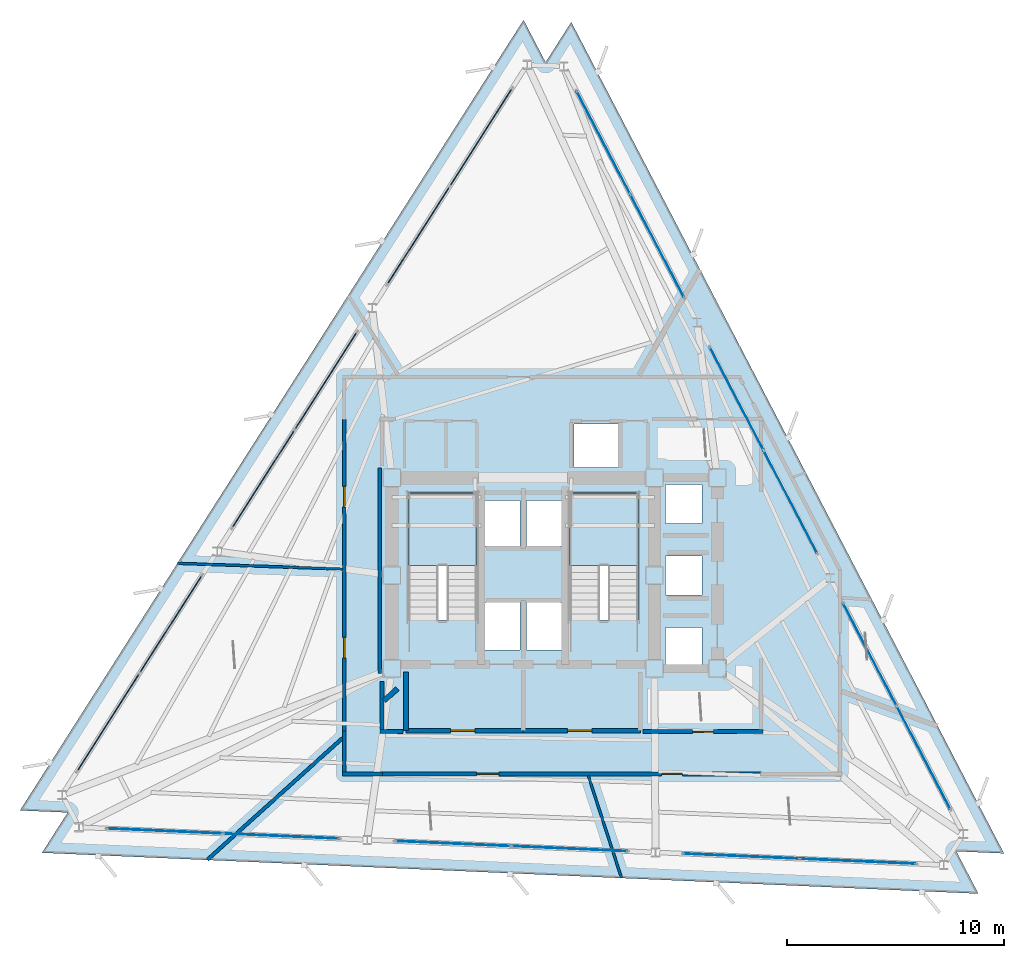
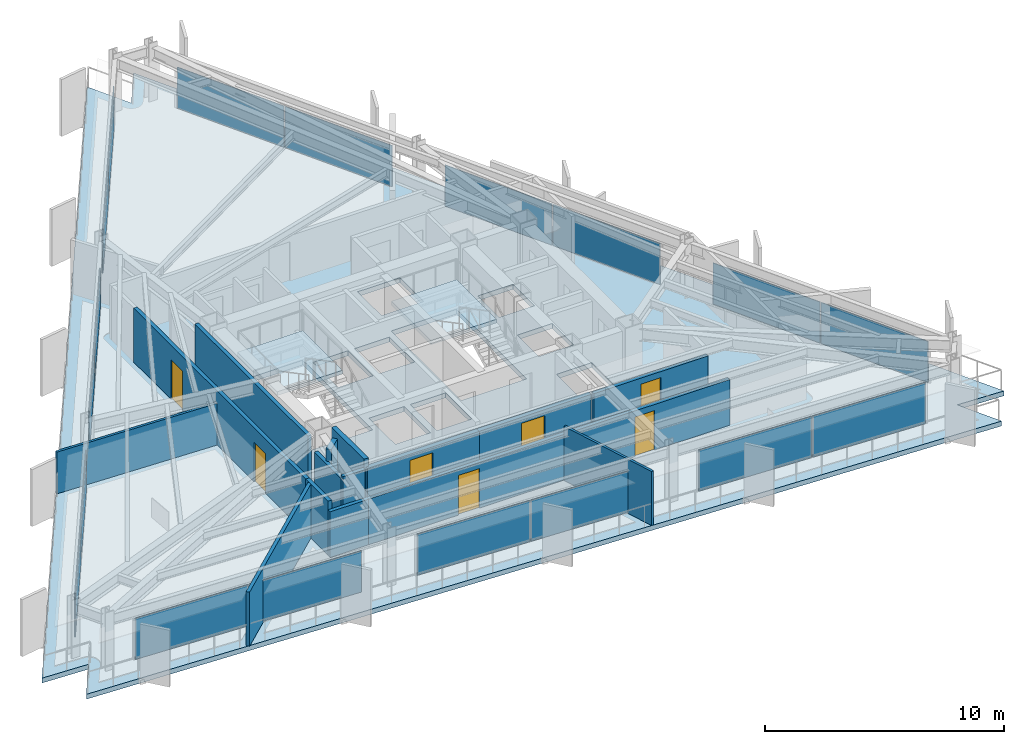
# One storey, part 7 of 12: 18 plates, 15 walls, 7 doors, 3 slabs, 7 openings, 11 elements without a shape of their own.
"""IFC4 building model written with IfcOpenShell, lengths in metres."""

from ifc_helpers import new_model, si_unit, direction, frame, frame_2d, origin, origin_2d, place, context, subcontext, project, spatial, polyline, rectangle, outline, extrude, material, layer, layer_set, type_object, element, fill, aggregate, save


model = new_model("IFC4")

# Units and contexts
model_context = context("Model", 3, precision=1e-05, world=origin(), true_north=direction((0.0, 1.0)))
body_context = subcontext(model_context, "Body", "Model", "MODEL_VIEW")
ifc_project = project(units=[si_unit("LENGTHUNIT", "METRE"), si_unit("AREAUNIT", "SQUARE_METRE"), si_unit("VOLUMEUNIT", "CUBIC_METRE"), si_unit("PLANEANGLEUNIT", "RADIAN"), si_unit("MASSUNIT", "GRAM", prefix="KILO")], contexts=[model_context])

# Site, building, storey
site_placement = place(None, origin())
site = spatial("IfcSite", under=ifc_project, at=site_placement, CompositionType="ELEMENT")
building_placement = place(site_placement, origin())
building = spatial("IfcBuilding", under=site, at=building_placement, Name="Rocaltana Carrier Exchange", CompositionType="ELEMENT")
storey_placement = place(building_placement, frame((0.0, 0.0, 135.0400390625)))
storey = spatial("IfcBuildingStorey", under=building, at=storey_placement, Name="L42", CompositionType="ELEMENT", Elevation=135.0400390625)

# Curtain wall, plates
ifc_material_1 = material(Name="Aluminium 6063-T6", Category="aluminium")
ifc_layer_1 = layer(ifc_material_1, 0.14990234375)
ifc_layer_set_1 = layer_set([ifc_layer_1], Name="Aluminium 6063-T6")
curtain_wall_type = type_object("IfcCurtainWallType", Name="Mid-Tower Unitised Curtain Wall CW-03", PredefinedType="NOTDEFINED", material=ifc_layer_set_1)
curtain_wall_1_placement = place(storey_placement, origin())
curtain_wall_1 = element("IfcCurtainWall", 1, at=curtain_wall_1_placement, inside=storey, type_object=curtain_wall_type, Name="L42 CW-03 Run CW-L42-F1S1", PredefinedType="NOTDEFINED")
ifc_material_2 = material(Name="Tempered Laminated Glass", Category="glass")
ifc_layer_2 = layer(ifc_material_2, 0.0400390625)
ifc_layer_set_2 = layer_set([ifc_layer_2], Name="Tempered Laminated Glass")
plate_type = type_object("IfcPlateType", Name="CW-03 Stone-Insulated Vision Panel", PredefinedType="CURTAIN_PANEL", material=ifc_layer_set_2)
plate_1_placement = place(storey_placement, frame((18.460693359375, -8.4111328125, 0.06005859375), z_axis=(0.0, 0.0, 1.0), x_axis=(-0.461750348962, 0.887009929614, 0.0)))
plate_1 = element("IfcPlate", 2, at=plate_1_placement, type_object=plate_type, Name="CW-03 panel 1.1", PredefinedType="CURTAIN_PANEL", context=body_context, shape_type="SweptSolid", body=[
    extrude(rectangle(XDim=5.31005859375, YDim=0.0400390625, at=origin_2d()), origin(), (0.0, 0.0, 1.0), 2.097900390625),
])
plate_2_placement = place(storey_placement, frame((15.98095703125, -3.64794921875, 0.06005859375), z_axis=(0.0, 0.0, 1.0), x_axis=(-0.461750348962, 0.887009929614, 0.0)))
plate_2 = element("IfcPlate", 3, at=plate_2_placement, type_object=plate_type, Name="CW-03 panel 2.1", PredefinedType="CURTAIN_PANEL", context=body_context, shape_type="SweptSolid", body=[
    extrude(rectangle(XDim=5.31005859375, YDim=0.0400390625, at=origin_2d()), origin(), (0.0, 0.0, 1.0), 2.097900390625),
])
aggregate(curtain_wall_1, [plate_1, plate_2])

curtain_wall_2_placement = place(storey_placement, origin())
curtain_wall_2 = element("IfcCurtainWall", 4, at=curtain_wall_2_placement, inside=storey, type_object=curtain_wall_type, Name="L42 CW-03 Run CW-L42-F1S2", PredefinedType="NOTDEFINED")
plate_3_placement = place(storey_placement, frame((12.3193359375, 3.385986328125, 0.06005859375), z_axis=(0.0, 0.0, 1.0), x_axis=(-0.461746856235, 0.887011747812, 0.0)))
plate_3 = element("IfcPlate", 5, at=plate_3_placement, type_object=plate_type, Name="CW-03 panel 1.1", PredefinedType="CURTAIN_PANEL", context=body_context, shape_type="SweptSolid", body=[
    extrude(rectangle(XDim=5.309814453125, YDim=0.0400390625, at=origin_2d()), origin(), (0.0, 0.0, 1.0), 2.097900390625),
])
plate_4_placement = place(storey_placement, frame((9.83984375, 8.1494140625, 0.06005859375), z_axis=(0.0, 0.0, 1.0), x_axis=(-0.461746856235, 0.887011747812, 0.0)))
plate_4 = element("IfcPlate", 6, at=plate_4_placement, type_object=plate_type, Name="CW-03 panel 2.1", PredefinedType="CURTAIN_PANEL", context=body_context, shape_type="SweptSolid", body=[
    extrude(rectangle(XDim=5.309814453125, YDim=0.0400390625, at=origin_2d()), origin(), (0.0, 0.0, 1.0), 2.097900390625),
])
aggregate(curtain_wall_2, [plate_3, plate_4])

curtain_wall_3_placement = place(storey_placement, origin())
curtain_wall_3 = element("IfcCurtainWall", 7, at=curtain_wall_3_placement, inside=storey, type_object=curtain_wall_type, Name="L42 CW-03 Run CW-L42-F1S3", PredefinedType="NOTDEFINED")
plate_5_placement = place(storey_placement, frame((6.17822265625, 15.183349609375, 0.06005859375), z_axis=(0.0, 0.0, 1.0), x_axis=(-0.461754141383, 0.887007955385, 0.0)))
plate_5 = element("IfcPlate", 8, at=plate_5_placement, type_object=plate_type, Name="CW-03 panel 1.1", PredefinedType="CURTAIN_PANEL", context=body_context, shape_type="SweptSolid", body=[
    extrude(rectangle(XDim=5.31005859375, YDim=0.0400390625, at=origin_2d()), origin(), (0.0, 0.0, 1.0), 2.097900390625),
])
plate_6_placement = place(storey_placement, frame((3.698486328125, 19.946533203125, 0.06005859375), z_axis=(0.0, 0.0, 1.0), x_axis=(-0.461754141383, 0.887007955385, 0.0)))
plate_6 = element("IfcPlate", 9, at=plate_6_placement, type_object=plate_type, Name="CW-03 panel 2.1", PredefinedType="CURTAIN_PANEL", context=body_context, shape_type="SweptSolid", body=[
    extrude(rectangle(XDim=5.31005859375, YDim=0.0400390625, at=origin_2d()), origin(), (0.0, 0.0, 1.0), 2.097900390625),
])
aggregate(curtain_wall_3, [plate_5, plate_6])

curtain_wall_4_placement = place(storey_placement, origin())
curtain_wall_4 = element("IfcCurtainWall", 10, at=curtain_wall_4_placement, inside=storey, type_object=curtain_wall_type, Name="L42 CW-03 Run CW-L42-F2S1", PredefinedType="NOTDEFINED")
plate_7_placement = place(storey_placement, frame((-1.946044921875, 20.19287109375, 0.06005859375), z_axis=(0.0, 0.0, 1.0), x_axis=(-0.537300801443, -0.843390685726, 0.0)))
plate_7 = element("IfcPlate", 11, at=plate_7_placement, type_object=plate_type, Name="CW-03 panel 1.1", PredefinedType="CURTAIN_PANEL", context=body_context, shape_type="SweptSolid", body=[
    extrude(rectangle(XDim=5.31005859375, YDim=0.0400390625, at=origin_2d()), origin(), (0.0, 0.0, 1.0), 2.097900390625),
])
plate_8_placement = place(storey_placement, frame((-4.831298828125, 15.663818359375, 0.06005859375), z_axis=(0.0, 0.0, 1.0), x_axis=(-0.537300801443, -0.843390685726, 0.0)))
plate_8 = element("IfcPlate", 12, at=plate_8_placement, type_object=plate_type, Name="CW-03 panel 2.1", PredefinedType="CURTAIN_PANEL", context=body_context, shape_type="SweptSolid", body=[
    extrude(rectangle(XDim=5.31005859375, YDim=0.0400390625, at=origin_2d()), origin(), (0.0, 0.0, 1.0), 2.097900390625),
])
aggregate(curtain_wall_4, [plate_7, plate_8])

curtain_wall_5_placement = place(storey_placement, origin())
curtain_wall_5 = element("IfcCurtainWall", 13, at=curtain_wall_5_placement, inside=storey, type_object=curtain_wall_type, Name="L42 CW-03 Run CW-L42-F2S2", PredefinedType="NOTDEFINED")
plate_9_placement = place(storey_placement, frame((-9.092041015625, 8.975830078125, 0.06005859375), z_axis=(0.0, 0.0, 1.0), x_axis=(-0.537300801443, -0.843390685726, 0.0)))
plate_9 = element("IfcPlate", 14, at=plate_9_placement, type_object=plate_type, Name="CW-03 panel 1.1", PredefinedType="CURTAIN_PANEL", context=body_context, shape_type="SweptSolid", body=[
    extrude(rectangle(XDim=5.31005859375, YDim=0.0400390625, at=origin_2d()), origin(), (0.0, 0.0, 1.0), 2.097900390625),
])
plate_10_placement = place(storey_placement, frame((-11.977294921875, 4.44677734375, 0.06005859375), z_axis=(0.0, 0.0, 1.0), x_axis=(-0.537300801443, -0.843390685726, 0.0)))
plate_10 = element("IfcPlate", 15, at=plate_10_placement, type_object=plate_type, Name="CW-03 panel 2.1", PredefinedType="CURTAIN_PANEL", context=body_context, shape_type="SweptSolid", body=[
    extrude(rectangle(XDim=5.31005859375, YDim=0.0400390625, at=origin_2d()), origin(), (0.0, 0.0, 1.0), 2.097900390625),
])
aggregate(curtain_wall_5, [plate_9, plate_10])

curtain_wall_6_placement = place(storey_placement, origin())
curtain_wall_6 = element("IfcCurtainWall", 16, at=curtain_wall_6_placement, inside=storey, type_object=curtain_wall_type, Name="L42 CW-03 Run CW-L42-F2S3", PredefinedType="NOTDEFINED")
plate_11_placement = place(storey_placement, frame((-16.23828125, -2.2412109375, 0.06005859375), z_axis=(0.0, 0.0, 1.0), x_axis=(-0.537300801443, -0.843390685726, 0.0)))
plate_11 = element("IfcPlate", 17, at=plate_11_placement, type_object=plate_type, Name="CW-03 panel 1.1", PredefinedType="CURTAIN_PANEL", context=body_context, shape_type="SweptSolid", body=[
    extrude(rectangle(XDim=5.31005859375, YDim=0.0400390625, at=origin_2d()), origin(), (0.0, 0.0, 1.0), 2.097900390625),
])
plate_12_placement = place(storey_placement, frame((-19.12353515625, -6.770263671875, 0.06005859375), z_axis=(0.0, 0.0, 1.0), x_axis=(-0.537300801443, -0.843390685726, 0.0)))
plate_12 = element("IfcPlate", 18, at=plate_12_placement, type_object=plate_type, Name="CW-03 panel 2.1", PredefinedType="CURTAIN_PANEL", context=body_context, shape_type="SweptSolid", body=[
    extrude(rectangle(XDim=5.31005859375, YDim=0.0400390625, at=origin_2d()), origin(), (0.0, 0.0, 1.0), 2.097900390625),
])
aggregate(curtain_wall_6, [plate_11, plate_12])

curtain_wall_7_placement = place(storey_placement, origin())
curtain_wall_7 = element("IfcCurtainWall", 19, at=curtain_wall_7_placement, inside=storey, type_object=curtain_wall_type, Name="L42 CW-03 Run CW-L42-F3S1", PredefinedType="NOTDEFINED")
plate_13_placement = place(storey_placement, frame((-16.5146484375, -11.78173828125, 0.06005859375), z_axis=(0.0, 0.0, 1.0), x_axis=(0.999047789154, -0.043629290456, 0.0)))
plate_13 = element("IfcPlate", 20, at=plate_13_placement, type_object=plate_type, Name="CW-03 panel 1.1", PredefinedType="CURTAIN_PANEL", context=body_context, shape_type="SweptSolid", body=[
    extrude(rectangle(XDim=5.31005859375, YDim=0.0400390625, at=origin_2d()), origin(), (0.0, 0.0, 1.0), 2.097900390625),
])
plate_14_placement = place(storey_placement, frame((-11.149658203125, -12.01611328125, 0.06005859375), z_axis=(0.0, 0.0, 1.0), x_axis=(0.999047789154, -0.043629290456, 0.0)))
plate_14 = element("IfcPlate", 21, at=plate_14_placement, type_object=plate_type, Name="CW-03 panel 2.1", PredefinedType="CURTAIN_PANEL", context=body_context, shape_type="SweptSolid", body=[
    extrude(rectangle(XDim=5.31005859375, YDim=0.0400390625, at=origin_2d()), origin(), (0.0, 0.0, 1.0), 2.097900390625),
])
aggregate(curtain_wall_7, [plate_13, plate_14])

curtain_wall_8_placement = place(storey_placement, origin())
curtain_wall_8 = element("IfcCurtainWall", 22, at=curtain_wall_8_placement, inside=storey, type_object=curtain_wall_type, Name="L42 CW-03 Run CW-L42-F3S2", PredefinedType="NOTDEFINED")
plate_15_placement = place(storey_placement, frame((-3.227294921875, -12.36181640625, 0.06005859375), z_axis=(0.0, 0.0, 1.0), x_axis=(0.999048175081, -0.043620452398, 0.0)))
plate_15 = element("IfcPlate", 23, at=plate_15_placement, type_object=plate_type, Name="CW-03 panel 1.1", PredefinedType="CURTAIN_PANEL", context=body_context, shape_type="SweptSolid", body=[
    extrude(rectangle(XDim=5.31005859375, YDim=0.0400390625, at=origin_2d()), origin(), (0.0, 0.0, 1.0), 2.097900390625),
])
plate_16_placement = place(storey_placement, frame((2.1376953125, -12.59619140625, 0.06005859375), z_axis=(0.0, 0.0, 1.0), x_axis=(0.999048175081, -0.043620452398, 0.0)))
plate_16 = element("IfcPlate", 24, at=plate_16_placement, type_object=plate_type, Name="CW-03 panel 2.1", PredefinedType="CURTAIN_PANEL", context=body_context, shape_type="SweptSolid", body=[
    extrude(rectangle(XDim=5.31005859375, YDim=0.0400390625, at=origin_2d()), origin(), (0.0, 0.0, 1.0), 2.097900390625),
])
aggregate(curtain_wall_8, [plate_15, plate_16])

curtain_wall_9_placement = place(storey_placement, origin())
curtain_wall_9 = element("IfcCurtainWall", 25, at=curtain_wall_9_placement, inside=storey, type_object=curtain_wall_type, Name="L42 CW-03 Run CW-L42-F3S3", PredefinedType="NOTDEFINED")
plate_17_placement = place(storey_placement, frame((10.06005859375, -12.942138671875, 0.06005859375), z_axis=(0.0, 0.0, 1.0), x_axis=(0.999047789154, -0.043629290456, 0.0)))
plate_17 = element("IfcPlate", 26, at=plate_17_placement, type_object=plate_type, Name="CW-03 panel 1.1", PredefinedType="CURTAIN_PANEL", context=body_context, shape_type="SweptSolid", body=[
    extrude(rectangle(XDim=5.31005859375, YDim=0.0400390625, at=origin_2d()), origin(), (0.0, 0.0, 1.0), 2.097900390625),
])
plate_18_placement = place(storey_placement, frame((15.425048828125, -13.17626953125, 0.06005859375), z_axis=(0.0, 0.0, 1.0), x_axis=(0.999047789154, -0.043629290456, 0.0)))
plate_18 = element("IfcPlate", 27, at=plate_18_placement, type_object=plate_type, Name="CW-03 panel 2.1", PredefinedType="CURTAIN_PANEL", context=body_context, shape_type="SweptSolid", body=[
    extrude(rectangle(XDim=5.31005859375, YDim=0.0400390625, at=origin_2d()), origin(), (0.0, 0.0, 1.0), 2.097900390625),
])
aggregate(curtain_wall_9, [plate_17, plate_18])

# Slab
ifc_material_3 = material(Name="Concrete C50/60", Category="concrete")
ifc_layer_3 = layer(ifc_material_3, 0.25)
ifc_layer_set_3 = layer_set([ifc_layer_3], Name="Concrete C50/60")
slab_type_1 = type_object("IfcSlabType", Name="Mid-Zone Tower Slab 250", PredefinedType="FLOOR", material=ifc_layer_set_3)
slab_1_placement = place(storey_placement, frame((0.0, 0.0, -0.25)))
element("IfcSlab", 28, at=slab_1_placement, inside=storey, type_object=slab_type_1, Name="L42 Structural Floor Slab", PredefinedType="FLOOR", context=body_context, shape_type="SweptSolid", body=[
    extrude(outline(polyline([(20.97998046875, -14.669921875), (19.964111328125, -12.718505859375), (22.162109375, -12.814697265625), (2.214599609375, 25.50439453125), (1.032470703125, 23.648681640625), (0.0166015625, 25.600341796875), (-23.194580078125, -10.834228515625), (-20.996826171875, -10.93017578125), (-22.1787109375, -12.78564453125), (20.97998046875, -14.669921875)]), holes=[polyline([(-5.300048828125, -2.06005859375), (-2.139892578125, -2.06005859375), (-2.139892578125, 3.800048828125), (-5.300048828125, 3.800048828125), (-5.300048828125, -2.06005859375)]), polyline([(2.139892578125, -2.06005859375), (5.300048828125, -2.06005859375), (5.300048828125, 3.800048828125), (2.139892578125, 3.800048828125), (2.139892578125, -2.06005859375)]), polyline([(-1.85009765625, -3.449951171875), (-0.14990234375, -3.449951171875), (-0.14990234375, -1.25), (-1.85009765625, -1.25), (-1.85009765625, -3.449951171875)]), polyline([(0.14990234375, -3.449951171875), (1.85009765625, -3.449951171875), (1.85009765625, -1.25), (0.14990234375, -1.25), (0.14990234375, -3.449951171875)]), polyline([(2.35009765625, 4.97998046875), (4.39990234375, 4.97998046875), (4.39990234375, 6.97998046875), (2.35009765625, 6.97998046875), (2.35009765625, 4.97998046875)]), polyline([(-1.85009765625, 1.35009765625), (-0.14990234375, 1.35009765625), (-0.14990234375, 3.449951171875), (-1.85009765625, 3.449951171875), (-1.85009765625, 1.35009765625)]), polyline([(0.14990234375, 1.35009765625), (1.85009765625, 1.35009765625), (1.85009765625, 3.449951171875), (0.14990234375, 3.449951171875), (0.14990234375, 1.35009765625)]), polyline([(6.550048828125, -4.199951171875), (8.25, -4.199951171875), (8.25, -2.39990234375), (6.550048828125, -2.39990234375), (6.550048828125, -4.199951171875)]), polyline([(6.550048828125, -0.89990234375), (8.25, -0.89990234375), (8.25, 0.89990234375), (6.550048828125, 0.89990234375), (6.550048828125, -0.89990234375)]), polyline([(6.550048828125, 2.39990234375), (8.25, 2.39990234375), (8.25, 4.199951171875), (6.550048828125, 4.199951171875), (6.550048828125, 2.39990234375)])]), origin(), (0.0, 0.0, 1.0), 0.25),
])

# Stair, slab
ifc_material_4 = material(Name="Precast concrete C45/55", Category="concrete")
stair_type = type_object("IfcStairType", Name="Standard Dog-Leg Stair 160", PredefinedType="HALF_TURN_STAIR", material=ifc_material_4)
stair_1_placement = place(storey_placement, origin())
stair_1 = element("IfcStair", 29, at=stair_1_placement, inside=storey, type_object=stair_type, Name="L42 Core West Exit Stair ST-1", PredefinedType="HALF_TURN_STAIR")
ifc_material_5 = material(Name="Precast concrete C45/55", Category="concrete")
ifc_layer_4 = layer(ifc_material_5, 0.199951171875)
ifc_layer_set_4 = layer_set([ifc_layer_4], Name="Precast concrete C45/55")
slab_type_2 = type_object("IfcSlabType", Name="Precast Stair Half-Landing 200", PredefinedType="LANDING", material=ifc_layer_set_4)
slab_2_placement = place(storey_placement, frame((0.0, 0.0, 1.320068359375)))
slab_2 = element("IfcSlab", 30, at=slab_2_placement, type_object=slab_type_2, Name="ST-1 landing 1", PredefinedType="LANDING", context=body_context, shape_type="SweptSolid", body=[
    extrude(outline(polyline([(-2.139892578125, 0.4599609375), (-2.139892578125, 3.800048828125), (-5.300048828125, 3.800048828125), (-5.300048828125, 0.4599609375), (-2.139892578125, 0.4599609375)])), origin(), (0.0, 0.0, 1.0), 0.199951171875),
])
aggregate(stair_1, [slab_2])

stair_2_placement = place(storey_placement, origin())
stair_2 = element("IfcStair", 31, at=stair_2_placement, inside=storey, type_object=stair_type, Name="L42 Core East Exit Stair ST-2", PredefinedType="HALF_TURN_STAIR")
slab_3_placement = place(storey_placement, frame((0.0, 0.0, 1.320068359375)))
slab_3 = element("IfcSlab", 32, at=slab_3_placement, type_object=slab_type_2, Name="ST-2 landing 1", PredefinedType="LANDING", context=body_context, shape_type="SweptSolid", body=[
    extrude(outline(polyline([(5.300048828125, 0.4599609375), (5.300048828125, 3.800048828125), (2.139892578125, 3.800048828125), (2.139892578125, 0.4599609375), (5.300048828125, 0.4599609375)])), origin(), (0.0, 0.0, 1.0), 0.199951171875),
])
aggregate(stair_2, [slab_3])

# Walls
ifc_material_6 = material(Name="Double Acoustic Gypsum Partition", Category="gypsum")
ifc_layer_5 = layer(ifc_material_6, 0.159912109375)
ifc_layer_set_5 = layer_set([ifc_layer_5], Name="Double Acoustic Gypsum Partition")
wall_type_1 = type_object("IfcWallType", Name="Acoustic Studio Partition 160 EI60", PredefinedType="PARTITIONING", material=ifc_layer_set_5)
wall_1_placement = place(storey_placement, frame((-8.330078125, -7.50048828125, 0.0), z_axis=(0.0, 0.0, 1.0), x_axis=(-0.743147832275, -0.669127266957, 0.0)))
element("IfcWall", 33, at=wall_1_placement, inside=storey, type_object=wall_type_1, Name="L42 Suite Divider Wall D2", PredefinedType="PARTITIONING", context=body_context, shape_type="SweptSolid", body=[
    extrude(rectangle(XDim=8.380859375, YDim=0.159912109375, at=frame_2d((4.1904296875, 0.0))), origin(), (0.0, 0.0, 1.0), 2.762939453125),
])
ifc_material_7 = material(Name="Gypsum & Steel Stud Partition", Category="steel")
ifc_layer_6 = layer(ifc_material_7, 0.179931640625)
ifc_layer_set_6 = layer_set([ifc_layer_6], Name="Gypsum & Steel Stud Partition")
wall_type_2 = type_object("IfcWallType", Name="Corridor Fire Partition 180 EI60", PredefinedType="PARTITIONING", material=ifc_layer_set_6)
wall_2_placement = place(storey_placement, frame((-6.47998046875, -9.14990234375, 0.0), z_axis=(0.0, 0.0, 1.0), x_axis=(-1.0, 0.0, 0.0)))
element("IfcWall", 34, at=wall_2_placement, inside=storey, type_object=wall_type_2, Name="L42 Corridor Partition 1", PredefinedType="PARTITIONING", context=body_context, shape_type="SweptSolid", body=[
    extrude(rectangle(XDim=1.860107421875, YDim=0.179931640625, at=frame_2d((0.93017578125, 0.0))), origin(), (0.0, 0.0, 1.0), 2.330078125),
])
wall_3_placement = place(storey_placement, frame((-8.25, -9.06005859375, 0.0), z_axis=(0.0, 0.0, 1.0), x_axis=(0.0, 1.0, 0.0)))
element("IfcWall", 35, at=wall_3_placement, inside=storey, type_object=wall_type_2, Name="L42 Corridor Partition 2", PredefinedType="PARTITIONING", context=body_context, shape_type="SweptSolid", body=[
    extrude(rectangle(XDim=1.880126953125, YDim=0.179931640625, at=frame_2d((0.93994140625, 0.0))), origin(), (0.0, 0.0, 1.0), 2.762939453125),
])

# Wall, openings, doors
wall_4_placement = place(storey_placement, frame((-8.25, -7.219970703125, 0.0), z_axis=(0.0, 0.0, 1.0), x_axis=(0.0, 1.0, 0.0)))
wall_4 = element("IfcWall", 36, at=wall_4_placement, inside=storey, type_object=wall_type_2, Name="L42 Corridor Partition 3", PredefinedType="PARTITIONING", context=body_context, shape_type="SweptSolid", body=[
    extrude(rectangle(XDim=14.43994140625, YDim=0.179931640625, at=frame_2d((7.219970703125, 0.0))), origin(), (0.0, 0.0, 1.0), 2.762939453125),
])
opening_1_placement = place(wall_4_placement, frame((3.40576171875, 0.0, 0.0)))
opening_1 = element("IfcOpeningElement", 37, at=opening_1_placement, cuts=wall_4, Name="Opening D-RM098", PredefinedType="OPENING", context=body_context, shape_type="SweptSolid", body=[
    extrude(rectangle(XDim=0.9599609375, YDim=2.02001953125, at=frame_2d((0.47998046875, 1.010009765625))), frame((0.0, 0.099853515625, 0.0), z_axis=(0.0, -1.0, 0.0), x_axis=(1.0, 0.0, 0.0)), (0.0, 0.0, 1.0), 0.199951171875),
])
opening_2_placement = place(wall_4_placement, frame((10.365234375, 0.0, 0.0)))
opening_2 = element("IfcOpeningElement", 38, at=opening_2_placement, cuts=wall_4, Name="Opening D-RM098", PredefinedType="OPENING", context=body_context, shape_type="SweptSolid", body=[
    extrude(rectangle(XDim=0.9599609375, YDim=2.02001953125, at=frame_2d((0.47998046875, 1.010009765625))), frame((0.0, 0.099853515625, 0.0), z_axis=(0.0, -1.0, 0.0), x_axis=(1.0, 0.0, 0.0)), (0.0, 0.0, 1.0), 0.199951171875),
])
ifc_material_8 = material(Name="Engineered Hardwood Timber", Category="wood")
door_type_1 = type_object("IfcDoorType", Name="Workspace Single Door 960x2020", OperationType="NOTDEFINED", PredefinedType="DOOR", material=ifc_material_8)
door_1_placement = place(opening_1_placement, origin())
door_1 = element("IfcDoor", 39, at=door_1_placement, inside=storey, type_object=door_type_1, Name="L42 Network Engineering Studio Entrance Door", OperationType="SINGLE_SWING_RIGHT", OverallHeight=2.02001953125, OverallWidth=0.9599609375, PredefinedType="DOOR", context=body_context, shape_type="SweptSolid", body=[
    extrude(rectangle(XDim=0.9599609375, YDim=2.02001953125, at=frame_2d((0.47998046875, 1.010009765625))), frame((0.0, 0.02490234375, 0.0), z_axis=(0.0, -1.0, 0.0), x_axis=(1.0, 0.0, 0.0)), (0.0, 0.0, 1.0), 0.050048828125),
])
fill(opening_1, door_1)
door_2_placement = place(opening_2_placement, origin())
door_2 = element("IfcDoor", 40, at=door_2_placement, inside=storey, type_object=door_type_1, Name="L42 Cloud Architecture Office Entrance Door", OperationType="SINGLE_SWING_RIGHT", OverallHeight=2.02001953125, OverallWidth=0.9599609375, PredefinedType="DOOR", context=body_context, shape_type="SweptSolid", body=[
    extrude(rectangle(XDim=0.9599609375, YDim=2.02001953125, at=frame_2d((0.47998046875, 1.010009765625))), frame((0.0, 0.02490234375, 0.0), z_axis=(0.0, -1.0, 0.0), x_axis=(1.0, 0.0, 0.0)), (0.0, 0.0, 1.0), 0.050048828125),
])
fill(opening_2, door_2)

wall_5_placement = place(storey_placement, frame((10.97998046875, -9.14990234375, 0.0), z_axis=(0.0, 0.0, 1.0), x_axis=(-1.0, 0.0, 0.0)))
wall_5 = element("IfcWall", 41, at=wall_5_placement, inside=storey, type_object=wall_type_2, Name="L42 Corridor Partition 11", PredefinedType="PARTITIONING", context=body_context, shape_type="SweptSolid", body=[
    extrude(rectangle(XDim=17.5, YDim=0.179931640625, at=frame_2d((8.75, 0.0))), origin(), (0.0, 0.0, 1.0), 2.330078125),
])
opening_3_placement = place(wall_5_placement, frame((12.1015625, 0.0, 0.0)))
opening_3 = element("IfcOpeningElement", 42, at=opening_3_placement, cuts=wall_5, Name="Opening D-LB104", PredefinedType="OPENING", context=body_context, shape_type="SweptSolid", body=[
    extrude(rectangle(XDim=1.02001953125, YDim=2.02001953125, at=frame_2d((0.510009765625, 1.010009765625))), frame((0.0, 0.099853515625, 0.0), z_axis=(0.0, -1.0, 0.0), x_axis=(1.0, 0.0, 0.0)), (0.0, 0.0, 1.0), 0.199951171875),
])
opening_4_placement = place(wall_5_placement, frame((3.638671875, 0.0, 0.0)))
opening_4 = element("IfcOpeningElement", 43, at=opening_4_placement, cuts=wall_5, Name="Opening D-RM098", PredefinedType="OPENING", context=body_context, shape_type="SweptSolid", body=[
    extrude(rectangle(XDim=0.9599609375, YDim=2.02001953125, at=frame_2d((0.47998046875, 1.010009765625))), frame((0.0, 0.099853515625, 0.0), z_axis=(0.0, -1.0, 0.0), x_axis=(1.0, 0.0, 0.0)), (0.0, 0.0, 1.0), 0.199951171875),
])
ifc_material_9 = material(Name="Powder-Coated Aluminium 6063-T6", Category="aluminium")
door_type_2 = type_object("IfcDoorType", Name="Laboratory Acoustic Door 1020x2020", OperationType="NOTDEFINED", PredefinedType="DOOR", material=ifc_material_9)
door_3_placement = place(opening_3_placement, origin())
door_3 = element("IfcDoor", 44, at=door_3_placement, inside=storey, type_object=door_type_2, Name="L42 Photonic Integration Workshop Entrance Door", OperationType="SINGLE_SWING_LEFT", OverallHeight=2.02001953125, OverallWidth=1.02001953125, PredefinedType="DOOR", context=body_context, shape_type="SweptSolid", body=[
    extrude(rectangle(XDim=1.02001953125, YDim=2.02001953125, at=frame_2d((0.510009765625, 1.010009765625))), frame((0.0, 0.02490234375, 0.0), z_axis=(0.0, -1.0, 0.0), x_axis=(1.0, 0.0, 0.0)), (0.0, 0.0, 1.0), 0.050048828125),
])
fill(opening_3, door_3)
door_4_placement = place(opening_4_placement, origin())
door_4 = element("IfcDoor", 45, at=door_4_placement, inside=storey, type_object=door_type_1, Name="L42 Network Engineering Studio Entrance Door", OperationType="SINGLE_SWING_RIGHT", OverallHeight=2.02001953125, OverallWidth=0.9599609375, PredefinedType="DOOR", context=body_context, shape_type="SweptSolid", body=[
    extrude(rectangle(XDim=0.9599609375, YDim=2.02001953125, at=frame_2d((0.47998046875, 1.010009765625))), frame((0.0, 0.02490234375, 0.0), z_axis=(0.0, -1.0, 0.0), x_axis=(1.0, 0.0, 0.0)), (0.0, 0.0, 1.0), 0.050048828125),
])
fill(opening_4, door_4)

# Wall, opening, door
wall_6_placement = place(storey_placement, frame((5.530029296875, -7.199951171875, 0.0), z_axis=(0.0, 0.0, 1.0), x_axis=(1.0, 0.0, 0.0)))
wall_6 = element("IfcWall", 46, at=wall_6_placement, inside=storey, type_object=wall_type_2, Name="L42 Corridor Partition 12", PredefinedType="PARTITIONING", context=body_context, shape_type="SweptSolid", body=[
    extrude(rectangle(XDim=5.52001953125, YDim=0.179931640625, at=frame_2d((2.760009765625, 0.0))), origin(), (0.0, 0.0, 1.0), 2.330078125),
])
opening_5_placement = place(wall_6_placement, frame((2.280029296875, 0.0, 0.0)))
opening_5 = element("IfcOpeningElement", 47, at=opening_5_placement, cuts=wall_6, Name="Opening D-RM098", PredefinedType="OPENING", context=body_context, shape_type="SweptSolid", body=[
    extrude(rectangle(XDim=0.9599609375, YDim=2.02001953125, at=frame_2d((0.47998046875, 1.010009765625))), frame((0.0, 0.099853515625, 0.0), z_axis=(0.0, -1.0, 0.0), x_axis=(1.0, 0.0, 0.0)), (0.0, 0.0, 1.0), 0.199951171875),
])
door_5_placement = place(opening_5_placement, origin())
door_5 = element("IfcDoor", 48, at=door_5_placement, inside=storey, type_object=door_type_1, Name="L42 Peering Conference Room Entrance Door", OperationType="SINGLE_SWING_LEFT", OverallHeight=2.02001953125, OverallWidth=0.9599609375, PredefinedType="DOOR", context=body_context, shape_type="SweptSolid", body=[
    extrude(rectangle(XDim=0.9599609375, YDim=2.02001953125, at=frame_2d((0.47998046875, 1.010009765625))), frame((0.0, 0.02490234375, 0.0), z_axis=(0.0, -1.0, 0.0), x_axis=(1.0, 0.0, 0.0)), (0.0, 0.0, 1.0), 0.050048828125),
])
fill(opening_5, door_5)

# Walls
wall_7_placement = place(storey_placement, frame((-6.610107421875, 4.93994140625, 0.0), z_axis=(0.0, 0.0, 1.0), x_axis=(0.0, -1.0, 0.0)))
element("IfcWall", 49, at=wall_7_placement, inside=storey, type_object=wall_type_2, Name="L42 Corridor Partition 18", PredefinedType="PARTITIONING", context=body_context, shape_type="SweptSolid", body=[
    extrude(rectangle(XDim=9.4599609375, YDim=0.179931640625, at=frame_2d((4.72998046875, 0.0))), origin(), (0.0, 0.0, 1.0), 2.762939453125),
])
wall_8_placement = place(storey_placement, frame((-6.5, -4.8798828125, 0.0), z_axis=(0.0, 0.0, 1.0), x_axis=(0.0, -1.0, 0.0)))
element("IfcWall", 50, at=wall_8_placement, inside=storey, type_object=wall_type_2, Name="L42 Corridor Partition 19", PredefinedType="PARTITIONING", context=body_context, shape_type="SweptSolid", body=[
    extrude(rectangle(XDim=2.230224609375, YDim=0.179931640625, at=frame_2d((1.115234375, 0.0))), origin(), (0.0, 0.0, 1.0), 2.132080078125),
])
wall_9_placement = place(storey_placement, frame((-6.590087890625, -7.199951171875, 0.0), z_axis=(0.0, 0.0, 1.0), x_axis=(1.0, 0.0, 0.0)))
element("IfcWall", 51, at=wall_9_placement, inside=storey, type_object=wall_type_2, Name="L42 Corridor Partition 20", PredefinedType="PARTITIONING", context=body_context, shape_type="SweptSolid", body=[
    extrude(rectangle(XDim=1.06005859375, YDim=0.179931640625, at=frame_2d((0.530029296875, 0.0))), origin(), (0.0, 0.0, 1.0), 2.330078125),
])
ifc_material_10 = material(Name="Aluminium 6063-T6 & Acoustic Glass", Category="aluminium")
ifc_layer_7 = layer(ifc_material_10, 0.114990234375)
ifc_layer_set_7 = layer_set([ifc_layer_7], Name="Aluminium 6063-T6 & Acoustic Glass")
wall_type_3 = type_object("IfcWallType", Name="Demountable Glazed Lab Partition 115", PredefinedType="MOVABLE", material=ifc_layer_set_7)
wall_10_placement = place(storey_placement, frame((2.9990234375, -9.22998046875, 0.0), z_axis=(0.0, 0.0, 1.0), x_axis=(0.309019216851, -0.951055794166, 0.0)))
element("IfcWall", 52, at=wall_10_placement, inside=storey, type_object=wall_type_3, Name="L42 Suite Divider Wall D3", PredefinedType="MOVABLE", context=body_context, shape_type="SweptSolid", body=[
    extrude(rectangle(XDim=4.954345703125, YDim=0.114990234375, at=frame_2d((2.47705078125, 0.0))), origin(), (0.0, 0.0, 1.0), 2.762939453125),
])
wall_11_placement = place(storey_placement, frame((-8.330078125, 0.291015625, 0.0), z_axis=(0.0, 0.0, 1.0), x_axis=(-0.999391414835, 0.034882659784, 0.0)))
element("IfcWall", 53, at=wall_11_placement, inside=storey, type_object=wall_type_3, Name="L42 Suite Divider Wall D9", PredefinedType="MOVABLE", context=body_context, shape_type="SweptSolid", body=[
    extrude(rectangle(XDim=7.600830078125, YDim=0.114990234375, at=frame_2d((3.80029296875, 0.0))), origin(), (0.0, 0.0, 1.0), 2.132080078125),
])
ifc_material_11 = material(Name="Autoclaved Aerated Concrete C30/37", Category="concrete")
ifc_layer_8 = layer(ifc_material_11, 0.219970703125)
ifc_layer_set_8 = layer_set([ifc_layer_8], Name="Autoclaved Aerated Concrete C30/37")
wall_type_4 = type_object("IfcWallType", Name="Firefighting Lobby Wall 220 EI120", PredefinedType="PARTITIONING", material=ifc_layer_set_8)
wall_12_placement = place(storey_placement, frame((-5.39990234375, -7.159912109375, 0.0), z_axis=(0.0, 0.0, 1.0), x_axis=(0.0, 1.0, 0.0)))
element("IfcWall", 54, at=wall_12_placement, inside=storey, type_object=wall_type_4, Name="L42 FFL Lobby 1 West Wall", PredefinedType="PARTITIONING", context=body_context, shape_type="SweptSolid", body=[
    extrude(rectangle(XDim=2.7099609375, YDim=0.219970703125, at=frame_2d((1.35498046875, 0.0))), origin(), (0.0, 0.0, 1.0), 2.762939453125),
])

# Wall, opening, door
wall_13_placement = place(storey_placement, frame((-5.39990234375, -7.159912109375, 0.0), z_axis=(0.0, 0.0, 1.0), x_axis=(1.0, 0.0, 0.0)))
wall_13 = element("IfcWall", 55, at=wall_13_placement, inside=storey, type_object=wall_type_4, Name="L42 FFL Lobby 1 South Wall", PredefinedType="PARTITIONING", context=body_context, shape_type="SweptSolid", body=[
    extrude(rectangle(XDim=5.39990234375, YDim=0.219970703125, at=frame_2d((2.699951171875, 0.0))), origin(), (0.0, 0.0, 1.0), 2.330078125),
])
opening_6_placement = place(wall_13_placement, frame((2.050048828125, 0.0, 0.0)))
opening_6 = element("IfcOpeningElement", 56, at=opening_6_placement, cuts=wall_13, Name="Opening D-FF115", PredefinedType="OPENING", context=body_context, shape_type="SweptSolid", body=[
    extrude(rectangle(XDim=1.1201171875, YDim=2.02001953125, at=frame_2d((0.56005859375, 1.010009765625))), frame((0.0, 0.119873046875, 0.0), z_axis=(0.0, -1.0, 0.0), x_axis=(1.0, 0.0, 0.0)), (0.0, 0.0, 1.0), 0.239990234375),
])
ifc_material_12 = material(Name="Hollow Metal Fire Door Assembly", Category="steel")
door_type_3 = type_object("IfcDoorType", Name="Firefighting Lobby Door 1120x2020 FD60S", OperationType="NOTDEFINED", PredefinedType="DOOR", material=ifc_material_12)
door_6_placement = place(opening_6_placement, origin())
door_6 = element("IfcDoor", 57, at=door_6_placement, inside=storey, type_object=door_type_3, Name="L42 Firefighting Lift Lobby 1 Door", OperationType="SINGLE_SWING_LEFT", OverallHeight=2.02001953125, OverallWidth=1.1201171875, PredefinedType="DOOR", context=body_context, shape_type="SweptSolid", body=[
    extrude(rectangle(XDim=1.1201171875, YDim=2.02001953125, at=frame_2d((0.56005859375, 1.010009765625))), frame((0.0, 0.02490234375, 0.0), z_axis=(0.0, -1.0, 0.0), x_axis=(1.0, 0.0, 0.0)), (0.0, 0.0, 1.0), 0.050048828125),
])
fill(opening_6, door_6)

wall_14_placement = place(storey_placement, frame((0.0, -7.159912109375, 0.0), z_axis=(0.0, 0.0, 1.0), x_axis=(1.0, 0.0, 0.0)))
wall_14 = element("IfcWall", 58, at=wall_14_placement, inside=storey, type_object=wall_type_4, Name="L42 FFL Lobby 2 South Wall", PredefinedType="PARTITIONING", context=body_context, shape_type="SweptSolid", body=[
    extrude(rectangle(XDim=5.39990234375, YDim=0.219970703125, at=frame_2d((2.699951171875, 0.0))), origin(), (0.0, 0.0, 1.0), 2.330078125),
])
opening_7_placement = place(wall_14_placement, frame((2.050048828125, 0.0, 0.0)))
opening_7 = element("IfcOpeningElement", 59, at=opening_7_placement, cuts=wall_14, Name="Opening D-FF115", PredefinedType="OPENING", context=body_context, shape_type="SweptSolid", body=[
    extrude(rectangle(XDim=1.1201171875, YDim=2.02001953125, at=frame_2d((0.56005859375, 1.010009765625))), frame((0.0, 0.119873046875, 0.0), z_axis=(0.0, -1.0, 0.0), x_axis=(1.0, 0.0, 0.0)), (0.0, 0.0, 1.0), 0.239990234375),
])
door_7_placement = place(opening_7_placement, origin())
door_7 = element("IfcDoor", 60, at=door_7_placement, inside=storey, type_object=door_type_3, Name="L42 Firefighting Lift Lobby 2 Door", OperationType="SINGLE_SWING_RIGHT", OverallHeight=2.02001953125, OverallWidth=1.1201171875, PredefinedType="DOOR", context=body_context, shape_type="SweptSolid", body=[
    extrude(rectangle(XDim=1.1201171875, YDim=2.02001953125, at=frame_2d((0.56005859375, 1.010009765625))), frame((0.0, 0.02490234375, 0.0), z_axis=(0.0, -1.0, 0.0), x_axis=(1.0, 0.0, 0.0)), (0.0, 0.0, 1.0), 0.050048828125),
])
fill(opening_7, door_7)

# Wall
ifc_material_13 = material(Name="Acoustic Calcium Silicate Partition", Category="gypsum")
ifc_layer_9 = layer(ifc_material_13, 0.239990234375)
ifc_layer_set_9 = layer_set([ifc_layer_9], Name="Acoustic Calcium Silicate Partition")
wall_type_5 = type_object("IfcWallType", Name="Heavy Lab Partition 240 EI90", PredefinedType="PARTITIONING", material=ifc_layer_set_9)
wall_15_placement = place(storey_placement, frame((-5.800048828125, -5.222412109375, 0.0), z_axis=(0.0, 0.0, 1.0), x_axis=(-0.743163145085, -0.669110259813, 0.0)))
element("IfcWall", 61, at=wall_15_placement, inside=storey, type_object=wall_type_5, Name="L42 Suite Divider Wall D1", PredefinedType="PARTITIONING", context=body_context, shape_type="SweptSolid", body=[
    extrude(rectangle(XDim=0.833984375, YDim=0.239990234375, at=frame_2d((0.4169921875, 0.0))), origin(), (0.0, 0.0, 1.0), 2.762939453125),
])

save(model, "model.ifc")
